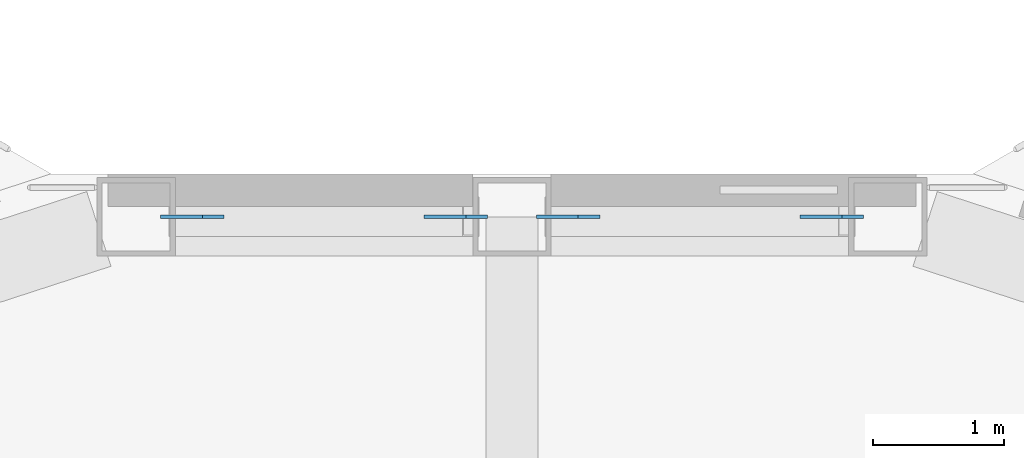
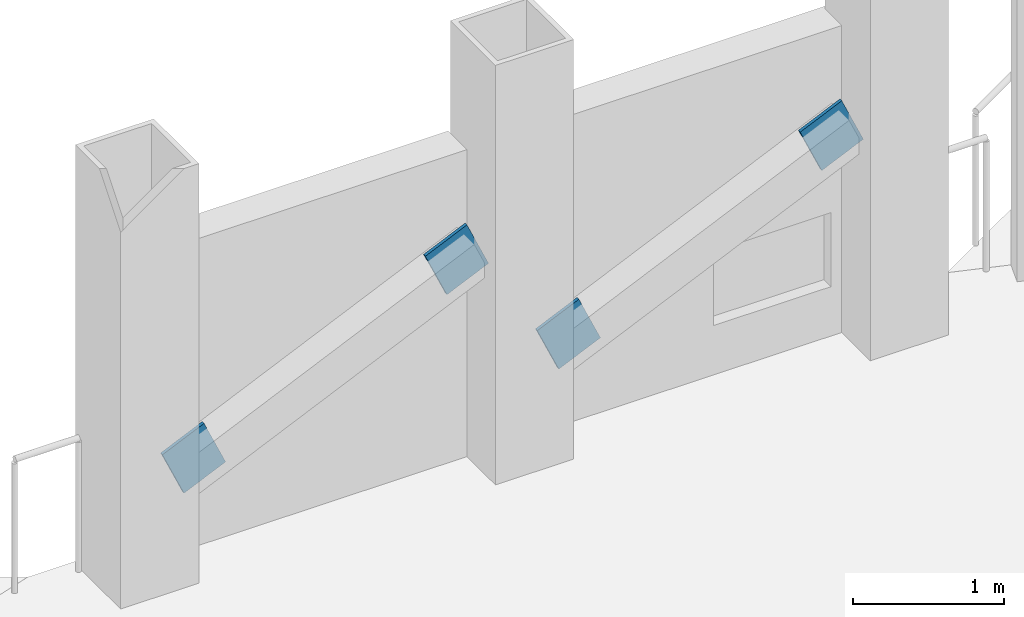
# One storey, part 22 of 28: 4 discrete accessories.
"""IFC4 building model written with IfcOpenShell, lengths in metres."""

from ifc_helpers import new_model, si_unit, direction, frame, origin, origin_2d, place, context, subcontext, project, spatial, rectangle, extrude, material, material_profile, profile_set, type_object, element, save


model = new_model("IFC4")

# Units and contexts
model_context = context("Model", 3, precision=1e-05, world=origin(), true_north=direction((0.0, 1.0)))
body_context = subcontext(model_context, "Body", "Model", "MODEL_VIEW")
ifc_project = project(units=[si_unit("LENGTHUNIT", "METRE"), si_unit("AREAUNIT", "SQUARE_METRE"), si_unit("VOLUMEUNIT", "CUBIC_METRE"), si_unit("PLANEANGLEUNIT", "RADIAN"), si_unit("MASSUNIT", "GRAM", prefix="KILO")], contexts=[model_context])

# Site, building, storey
site_placement = place(None, origin())
site = spatial("IfcSite", under=ifc_project, at=site_placement, CompositionType="ELEMENT")
building_placement = place(site_placement, origin())
building = spatial("IfcBuilding", under=site, at=building_placement, Name="Cormorant Prow Tower", CompositionType="ELEMENT")
storey_placement = place(building_placement, frame((0.0, 0.0, 301.800048828125)))
storey = spatial("IfcBuildingStorey", under=building, at=storey_placement, Name="L65", CompositionType="ELEMENT", Elevation=301.800048828125)

# Discrete accessories
ifc_material = material(Name="Structural steel ASTM A500 Gr C", Category="steel")
ifc_material_profile = material_profile(ifc_material, rectangle(XDim=0.02490234375, YDim=0.405029296875, at=origin_2d()), Name="Gusset plate 25x405")
ifc_profile_set = profile_set([ifc_material_profile], Name="Structural steel ASTM A500 Gr C")
discrete_accessory_type = type_object("IfcDiscreteAccessoryType", Name="Gusset plate 25x405", PredefinedType="BRACKET", material=ifc_profile_set)
for number, where, z_axis, x_axis, name in (
    (1, (0.588623046875, 31.676025390625, 0.86376953125), (-0.912599106234, 0.0, -0.408855562884), (0.0, -1.0, 0.0), "Gusset plate GP3 L65.N00.g0"),
    (2, (2.28515625, 31.676025390625, 1.6240234375), (0.912599106234, 0.0, 0.408855562884), (0.0, 1.0, 0.0), "Gusset plate GP3 L65.N00.g1"),
    (3, (-2.28515625, 31.676025390625, 0.86376953125), (-0.912599106234, 0.0, -0.408855562884), (0.0, -1.0, 0.0), "Gusset plate GP3 L65.N01.g0"),
    (4, (-0.588623046875, 31.676025390625, 1.6240234375), (0.912599106234, 0.0, 0.408855562884), (0.0, 1.0, 0.0), "Gusset plate GP3 L65.N01.g1"),
):
    element("IfcDiscreteAccessory", number, at=place(storey_placement, frame(where, z_axis=z_axis, x_axis=x_axis)), inside=storey, type_object=discrete_accessory_type, Name=name, PredefinedType="BRACKET", context=body_context, shape_type="SweptSolid", body=[
        extrude(rectangle(XDim=0.02490234375, YDim=0.405029296875, at=origin_2d()), origin(), (0.0, 0.0, 1.0), 0.349853515625),
    ])

save(model, "model.ifc")
